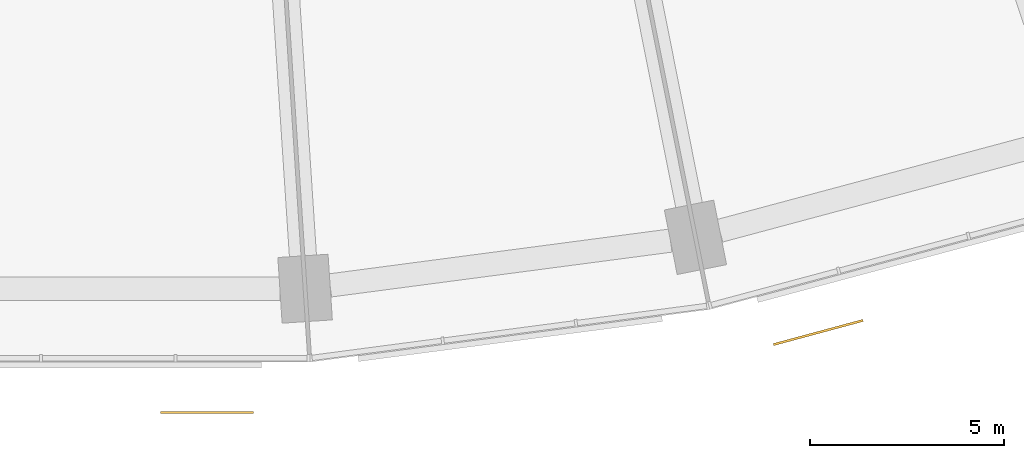
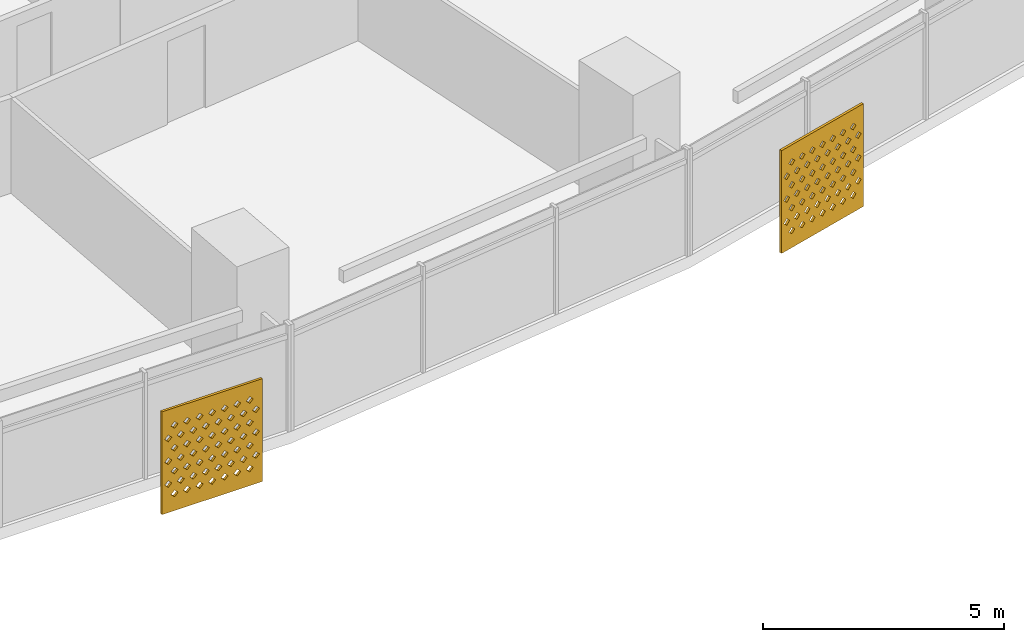
# One storey, part 29 of 31: 2 shading devices.
"""IFC4 building model written with IfcOpenShell, lengths in metres."""

from ifc_helpers import new_model, si_unit, direction, frame, origin, place, context, subcontext, project, spatial, polyline, outline, extrude, material, material_profile, profile_set, type_object, element, save


model = new_model("IFC4")

# Units and contexts
model_context = context("Model", 3, precision=1e-05, world=origin(), true_north=direction((0.0, 1.0)))
body_context = subcontext(model_context, "Body", "Model", "MODEL_VIEW")
ifc_project = project(units=[si_unit("LENGTHUNIT", "METRE"), si_unit("AREAUNIT", "SQUARE_METRE"), si_unit("VOLUMEUNIT", "CUBIC_METRE"), si_unit("PLANEANGLEUNIT", "RADIAN"), si_unit("MASSUNIT", "GRAM", prefix="KILO")], contexts=[model_context])

# Site, building, storey
site_placement = place(None, origin())
site = spatial("IfcSite", under=ifc_project, at=site_placement, CompositionType="ELEMENT")
building_placement = place(site_placement, origin())
building = spatial("IfcBuilding", under=site, at=building_placement, Name="Qamariyya Broadcast Tower", CompositionType="ELEMENT")
storey_placement = place(building_placement, frame((0.0, 0.0, 59.5)))
storey = spatial("IfcBuildingStorey", under=building, at=storey_placement, Name="L11", CompositionType="ELEMENT", Elevation=59.5)

# Shading devices
ifc_material = material(Name="Perforated glazed terracotta", Category="masonry")
ifc_material_profile = material_profile(ifc_material, outline(polyline([(-1.199951171875, -1.300048828125), (1.199951171875, -1.300048828125), (1.199951171875, 1.300048828125), (-1.199951171875, 1.300048828125), (-1.199951171875, -1.300048828125)]), holes=[polyline([(-0.81494140625, -0.86669921875), (-0.89990234375, -0.78173828125), (-0.985107421875, -0.86669921875), (-0.89990234375, -0.95166015625), (-0.81494140625, -0.86669921875)]), polyline([(-0.514892578125, -0.86669921875), (-0.60009765625, -0.78173828125), (-0.68505859375, -0.86669921875), (-0.60009765625, -0.95166015625), (-0.514892578125, -0.86669921875)]), polyline([(-0.215087890625, -0.86669921875), (-0.300048828125, -0.78173828125), (-0.385009765625, -0.86669921875), (-0.300048828125, -0.95166015625), (-0.215087890625, -0.86669921875)]), polyline([(0.0849609375, -0.86669921875), (0.0, -0.78173828125), (-0.0849609375, -0.86669921875), (0.0, -0.95166015625), (0.0849609375, -0.86669921875)]), polyline([(0.385009765625, -0.86669921875), (0.300048828125, -0.78173828125), (0.215087890625, -0.86669921875), (0.300048828125, -0.95166015625), (0.385009765625, -0.86669921875)]), polyline([(0.68505859375, -0.86669921875), (0.60009765625, -0.78173828125), (0.514892578125, -0.86669921875), (0.60009765625, -0.95166015625), (0.68505859375, -0.86669921875)]), polyline([(0.985107421875, -0.86669921875), (0.89990234375, -0.78173828125), (0.81494140625, -0.86669921875), (0.89990234375, -0.95166015625), (0.985107421875, -0.86669921875)]), polyline([(-0.965087890625, -0.577880859375), (-1.050048828125, -0.49267578125), (-1.135009765625, -0.577880859375), (-1.050048828125, -0.662841796875), (-0.965087890625, -0.577880859375)]), polyline([(-0.6650390625, -0.577880859375), (-0.75, -0.49267578125), (-0.8349609375, -0.577880859375), (-0.75, -0.662841796875), (-0.6650390625, -0.577880859375)]), polyline([(-0.364990234375, -0.577880859375), (-0.449951171875, -0.49267578125), (-0.534912109375, -0.577880859375), (-0.449951171875, -0.662841796875), (-0.364990234375, -0.577880859375)]), polyline([(-0.06494140625, -0.577880859375), (-0.14990234375, -0.49267578125), (-0.235107421875, -0.577880859375), (-0.14990234375, -0.662841796875), (-0.06494140625, -0.577880859375)]), polyline([(0.235107421875, -0.577880859375), (0.14990234375, -0.49267578125), (0.06494140625, -0.577880859375), (0.14990234375, -0.662841796875), (0.235107421875, -0.577880859375)]), polyline([(0.534912109375, -0.577880859375), (0.449951171875, -0.49267578125), (0.364990234375, -0.577880859375), (0.449951171875, -0.662841796875), (0.534912109375, -0.577880859375)]), polyline([(0.8349609375, -0.577880859375), (0.75, -0.49267578125), (0.6650390625, -0.577880859375), (0.75, -0.662841796875), (0.8349609375, -0.577880859375)]), polyline([(1.135009765625, -0.577880859375), (1.050048828125, -0.49267578125), (0.965087890625, -0.577880859375), (1.050048828125, -0.662841796875), (1.135009765625, -0.577880859375)]), polyline([(-0.81494140625, -0.288818359375), (-0.89990234375, -0.203857421875), (-0.985107421875, -0.288818359375), (-0.89990234375, -0.373779296875), (-0.81494140625, -0.288818359375)]), polyline([(-0.514892578125, -0.288818359375), (-0.60009765625, -0.203857421875), (-0.68505859375, -0.288818359375), (-0.60009765625, -0.373779296875), (-0.514892578125, -0.288818359375)]), polyline([(-0.215087890625, -0.288818359375), (-0.300048828125, -0.203857421875), (-0.385009765625, -0.288818359375), (-0.300048828125, -0.373779296875), (-0.215087890625, -0.288818359375)]), polyline([(0.0849609375, -0.288818359375), (0.0, -0.203857421875), (-0.0849609375, -0.288818359375), (0.0, -0.373779296875), (0.0849609375, -0.288818359375)]), polyline([(0.385009765625, -0.288818359375), (0.300048828125, -0.203857421875), (0.215087890625, -0.288818359375), (0.300048828125, -0.373779296875), (0.385009765625, -0.288818359375)]), polyline([(0.68505859375, -0.288818359375), (0.60009765625, -0.203857421875), (0.514892578125, -0.288818359375), (0.60009765625, -0.373779296875), (0.68505859375, -0.288818359375)]), polyline([(0.985107421875, -0.288818359375), (0.89990234375, -0.203857421875), (0.81494140625, -0.288818359375), (0.89990234375, -0.373779296875), (0.985107421875, -0.288818359375)]), polyline([(-0.965087890625, 0.0), (-1.050048828125, 0.0849609375), (-1.135009765625, 0.0), (-1.050048828125, -0.0849609375), (-0.965087890625, 0.0)]), polyline([(-0.6650390625, 0.0), (-0.75, 0.0849609375), (-0.8349609375, 0.0), (-0.75, -0.0849609375), (-0.6650390625, 0.0)]), polyline([(-0.364990234375, 0.0), (-0.449951171875, 0.0849609375), (-0.534912109375, 0.0), (-0.449951171875, -0.0849609375), (-0.364990234375, 0.0)]), polyline([(-0.06494140625, 0.0), (-0.14990234375, 0.0849609375), (-0.235107421875, 0.0), (-0.14990234375, -0.0849609375), (-0.06494140625, 0.0)]), polyline([(0.235107421875, 0.0), (0.14990234375, 0.0849609375), (0.06494140625, 0.0), (0.14990234375, -0.0849609375), (0.235107421875, 0.0)]), polyline([(0.534912109375, 0.0), (0.449951171875, 0.0849609375), (0.364990234375, 0.0), (0.449951171875, -0.0849609375), (0.534912109375, 0.0)]), polyline([(0.8349609375, 0.0), (0.75, 0.0849609375), (0.6650390625, 0.0), (0.75, -0.0849609375), (0.8349609375, 0.0)]), polyline([(1.135009765625, 0.0), (1.050048828125, 0.0849609375), (0.965087890625, 0.0), (1.050048828125, -0.0849609375), (1.135009765625, 0.0)]), polyline([(-0.81494140625, 0.288818359375), (-0.89990234375, 0.373779296875), (-0.985107421875, 0.288818359375), (-0.89990234375, 0.203857421875), (-0.81494140625, 0.288818359375)]), polyline([(-0.514892578125, 0.288818359375), (-0.60009765625, 0.373779296875), (-0.68505859375, 0.288818359375), (-0.60009765625, 0.203857421875), (-0.514892578125, 0.288818359375)]), polyline([(-0.215087890625, 0.288818359375), (-0.300048828125, 0.373779296875), (-0.385009765625, 0.288818359375), (-0.300048828125, 0.203857421875), (-0.215087890625, 0.288818359375)]), polyline([(0.0849609375, 0.288818359375), (0.0, 0.373779296875), (-0.0849609375, 0.288818359375), (0.0, 0.203857421875), (0.0849609375, 0.288818359375)]), polyline([(0.385009765625, 0.288818359375), (0.300048828125, 0.373779296875), (0.215087890625, 0.288818359375), (0.300048828125, 0.203857421875), (0.385009765625, 0.288818359375)]), polyline([(0.68505859375, 0.288818359375), (0.60009765625, 0.373779296875), (0.514892578125, 0.288818359375), (0.60009765625, 0.203857421875), (0.68505859375, 0.288818359375)]), polyline([(0.985107421875, 0.288818359375), (0.89990234375, 0.373779296875), (0.81494140625, 0.288818359375), (0.89990234375, 0.203857421875), (0.985107421875, 0.288818359375)]), polyline([(-0.965087890625, 0.577880859375), (-1.050048828125, 0.662841796875), (-1.135009765625, 0.577880859375), (-1.050048828125, 0.49267578125), (-0.965087890625, 0.577880859375)]), polyline([(-0.6650390625, 0.577880859375), (-0.75, 0.662841796875), (-0.8349609375, 0.577880859375), (-0.75, 0.49267578125), (-0.6650390625, 0.577880859375)]), polyline([(-0.364990234375, 0.577880859375), (-0.449951171875, 0.662841796875), (-0.534912109375, 0.577880859375), (-0.449951171875, 0.49267578125), (-0.364990234375, 0.577880859375)]), polyline([(-0.06494140625, 0.577880859375), (-0.14990234375, 0.662841796875), (-0.235107421875, 0.577880859375), (-0.14990234375, 0.49267578125), (-0.06494140625, 0.577880859375)]), polyline([(0.235107421875, 0.577880859375), (0.14990234375, 0.662841796875), (0.06494140625, 0.577880859375), (0.14990234375, 0.49267578125), (0.235107421875, 0.577880859375)]), polyline([(0.534912109375, 0.577880859375), (0.449951171875, 0.662841796875), (0.364990234375, 0.577880859375), (0.449951171875, 0.49267578125), (0.534912109375, 0.577880859375)]), polyline([(0.8349609375, 0.577880859375), (0.75, 0.662841796875), (0.6650390625, 0.577880859375), (0.75, 0.49267578125), (0.8349609375, 0.577880859375)]), polyline([(1.135009765625, 0.577880859375), (1.050048828125, 0.662841796875), (0.965087890625, 0.577880859375), (1.050048828125, 0.49267578125), (1.135009765625, 0.577880859375)]), polyline([(-0.81494140625, 0.86669921875), (-0.89990234375, 0.95166015625), (-0.985107421875, 0.86669921875), (-0.89990234375, 0.78173828125), (-0.81494140625, 0.86669921875)]), polyline([(-0.514892578125, 0.86669921875), (-0.60009765625, 0.95166015625), (-0.68505859375, 0.86669921875), (-0.60009765625, 0.78173828125), (-0.514892578125, 0.86669921875)]), polyline([(-0.215087890625, 0.86669921875), (-0.300048828125, 0.95166015625), (-0.385009765625, 0.86669921875), (-0.300048828125, 0.78173828125), (-0.215087890625, 0.86669921875)]), polyline([(0.0849609375, 0.86669921875), (0.0, 0.95166015625), (-0.0849609375, 0.86669921875), (0.0, 0.78173828125), (0.0849609375, 0.86669921875)]), polyline([(0.385009765625, 0.86669921875), (0.300048828125, 0.95166015625), (0.215087890625, 0.86669921875), (0.300048828125, 0.78173828125), (0.385009765625, 0.86669921875)]), polyline([(0.68505859375, 0.86669921875), (0.60009765625, 0.95166015625), (0.514892578125, 0.86669921875), (0.60009765625, 0.78173828125), (0.68505859375, 0.86669921875)]), polyline([(0.985107421875, 0.86669921875), (0.89990234375, 0.95166015625), (0.81494140625, 0.86669921875), (0.89990234375, 0.78173828125), (0.985107421875, 0.86669921875)])]))
ifc_profile_set = profile_set([ifc_material_profile], Name="Perforated glazed terracotta")
shading_device_type = type_object("IfcShadingDeviceType", Name="Perforated terracotta screen 2400 x 2600", PredefinedType="USERDEFINED", material=ifc_profile_set)
shading_device_1_placement = place(storey_placement, frame((2.55224609375, -80.74951171875, 1.35009765625), z_axis=(0.0, -1.0, 0.0), x_axis=(1.0, 0.0, 0.0)))
element("IfcShadingDevice", 1, at=shading_device_1_placement, inside=storey, type_object=shading_device_type, Name="e-scr-L11-08-2", ObjectType="SCREEN", PredefinedType="USERDEFINED", context=body_context, shape_type="SweptSolid", body=[
    extrude(outline(polyline([(-1.199951171875, -1.300048828125), (1.199951171875, -1.300048828125), (1.199951171875, 1.300048828125), (-1.199951171875, 1.300048828125), (-1.199951171875, -1.300048828125)]), holes=[polyline([(-0.81494140625, -0.86669921875), (-0.89990234375, -0.78173828125), (-0.985107421875, -0.86669921875), (-0.89990234375, -0.95166015625), (-0.81494140625, -0.86669921875)]), polyline([(-0.514892578125, -0.86669921875), (-0.60009765625, -0.78173828125), (-0.68505859375, -0.86669921875), (-0.60009765625, -0.95166015625), (-0.514892578125, -0.86669921875)]), polyline([(-0.215087890625, -0.86669921875), (-0.300048828125, -0.78173828125), (-0.385009765625, -0.86669921875), (-0.300048828125, -0.95166015625), (-0.215087890625, -0.86669921875)]), polyline([(0.0849609375, -0.86669921875), (0.0, -0.78173828125), (-0.0849609375, -0.86669921875), (0.0, -0.95166015625), (0.0849609375, -0.86669921875)]), polyline([(0.385009765625, -0.86669921875), (0.300048828125, -0.78173828125), (0.215087890625, -0.86669921875), (0.300048828125, -0.95166015625), (0.385009765625, -0.86669921875)]), polyline([(0.68505859375, -0.86669921875), (0.60009765625, -0.78173828125), (0.514892578125, -0.86669921875), (0.60009765625, -0.95166015625), (0.68505859375, -0.86669921875)]), polyline([(0.985107421875, -0.86669921875), (0.89990234375, -0.78173828125), (0.81494140625, -0.86669921875), (0.89990234375, -0.95166015625), (0.985107421875, -0.86669921875)]), polyline([(-0.965087890625, -0.577880859375), (-1.050048828125, -0.49267578125), (-1.135009765625, -0.577880859375), (-1.050048828125, -0.662841796875), (-0.965087890625, -0.577880859375)]), polyline([(-0.6650390625, -0.577880859375), (-0.75, -0.49267578125), (-0.8349609375, -0.577880859375), (-0.75, -0.662841796875), (-0.6650390625, -0.577880859375)]), polyline([(-0.364990234375, -0.577880859375), (-0.449951171875, -0.49267578125), (-0.534912109375, -0.577880859375), (-0.449951171875, -0.662841796875), (-0.364990234375, -0.577880859375)]), polyline([(-0.06494140625, -0.577880859375), (-0.14990234375, -0.49267578125), (-0.235107421875, -0.577880859375), (-0.14990234375, -0.662841796875), (-0.06494140625, -0.577880859375)]), polyline([(0.235107421875, -0.577880859375), (0.14990234375, -0.49267578125), (0.06494140625, -0.577880859375), (0.14990234375, -0.662841796875), (0.235107421875, -0.577880859375)]), polyline([(0.534912109375, -0.577880859375), (0.449951171875, -0.49267578125), (0.364990234375, -0.577880859375), (0.449951171875, -0.662841796875), (0.534912109375, -0.577880859375)]), polyline([(0.8349609375, -0.577880859375), (0.75, -0.49267578125), (0.6650390625, -0.577880859375), (0.75, -0.662841796875), (0.8349609375, -0.577880859375)]), polyline([(1.135009765625, -0.577880859375), (1.050048828125, -0.49267578125), (0.965087890625, -0.577880859375), (1.050048828125, -0.662841796875), (1.135009765625, -0.577880859375)]), polyline([(-0.81494140625, -0.288818359375), (-0.89990234375, -0.203857421875), (-0.985107421875, -0.288818359375), (-0.89990234375, -0.373779296875), (-0.81494140625, -0.288818359375)]), polyline([(-0.514892578125, -0.288818359375), (-0.60009765625, -0.203857421875), (-0.68505859375, -0.288818359375), (-0.60009765625, -0.373779296875), (-0.514892578125, -0.288818359375)]), polyline([(-0.215087890625, -0.288818359375), (-0.300048828125, -0.203857421875), (-0.385009765625, -0.288818359375), (-0.300048828125, -0.373779296875), (-0.215087890625, -0.288818359375)]), polyline([(0.0849609375, -0.288818359375), (0.0, -0.203857421875), (-0.0849609375, -0.288818359375), (0.0, -0.373779296875), (0.0849609375, -0.288818359375)]), polyline([(0.385009765625, -0.288818359375), (0.300048828125, -0.203857421875), (0.215087890625, -0.288818359375), (0.300048828125, -0.373779296875), (0.385009765625, -0.288818359375)]), polyline([(0.68505859375, -0.288818359375), (0.60009765625, -0.203857421875), (0.514892578125, -0.288818359375), (0.60009765625, -0.373779296875), (0.68505859375, -0.288818359375)]), polyline([(0.985107421875, -0.288818359375), (0.89990234375, -0.203857421875), (0.81494140625, -0.288818359375), (0.89990234375, -0.373779296875), (0.985107421875, -0.288818359375)]), polyline([(-0.965087890625, 0.0), (-1.050048828125, 0.0849609375), (-1.135009765625, 0.0), (-1.050048828125, -0.0849609375), (-0.965087890625, 0.0)]), polyline([(-0.6650390625, 0.0), (-0.75, 0.0849609375), (-0.8349609375, 0.0), (-0.75, -0.0849609375), (-0.6650390625, 0.0)]), polyline([(-0.364990234375, 0.0), (-0.449951171875, 0.0849609375), (-0.534912109375, 0.0), (-0.449951171875, -0.0849609375), (-0.364990234375, 0.0)]), polyline([(-0.06494140625, 0.0), (-0.14990234375, 0.0849609375), (-0.235107421875, 0.0), (-0.14990234375, -0.0849609375), (-0.06494140625, 0.0)]), polyline([(0.235107421875, 0.0), (0.14990234375, 0.0849609375), (0.06494140625, 0.0), (0.14990234375, -0.0849609375), (0.235107421875, 0.0)]), polyline([(0.534912109375, 0.0), (0.449951171875, 0.0849609375), (0.364990234375, 0.0), (0.449951171875, -0.0849609375), (0.534912109375, 0.0)]), polyline([(0.8349609375, 0.0), (0.75, 0.0849609375), (0.6650390625, 0.0), (0.75, -0.0849609375), (0.8349609375, 0.0)]), polyline([(1.135009765625, 0.0), (1.050048828125, 0.0849609375), (0.965087890625, 0.0), (1.050048828125, -0.0849609375), (1.135009765625, 0.0)]), polyline([(-0.81494140625, 0.288818359375), (-0.89990234375, 0.373779296875), (-0.985107421875, 0.288818359375), (-0.89990234375, 0.203857421875), (-0.81494140625, 0.288818359375)]), polyline([(-0.514892578125, 0.288818359375), (-0.60009765625, 0.373779296875), (-0.68505859375, 0.288818359375), (-0.60009765625, 0.203857421875), (-0.514892578125, 0.288818359375)]), polyline([(-0.215087890625, 0.288818359375), (-0.300048828125, 0.373779296875), (-0.385009765625, 0.288818359375), (-0.300048828125, 0.203857421875), (-0.215087890625, 0.288818359375)]), polyline([(0.0849609375, 0.288818359375), (0.0, 0.373779296875), (-0.0849609375, 0.288818359375), (0.0, 0.203857421875), (0.0849609375, 0.288818359375)]), polyline([(0.385009765625, 0.288818359375), (0.300048828125, 0.373779296875), (0.215087890625, 0.288818359375), (0.300048828125, 0.203857421875), (0.385009765625, 0.288818359375)]), polyline([(0.68505859375, 0.288818359375), (0.60009765625, 0.373779296875), (0.514892578125, 0.288818359375), (0.60009765625, 0.203857421875), (0.68505859375, 0.288818359375)]), polyline([(0.985107421875, 0.288818359375), (0.89990234375, 0.373779296875), (0.81494140625, 0.288818359375), (0.89990234375, 0.203857421875), (0.985107421875, 0.288818359375)]), polyline([(-0.965087890625, 0.577880859375), (-1.050048828125, 0.662841796875), (-1.135009765625, 0.577880859375), (-1.050048828125, 0.49267578125), (-0.965087890625, 0.577880859375)]), polyline([(-0.6650390625, 0.577880859375), (-0.75, 0.662841796875), (-0.8349609375, 0.577880859375), (-0.75, 0.49267578125), (-0.6650390625, 0.577880859375)]), polyline([(-0.364990234375, 0.577880859375), (-0.449951171875, 0.662841796875), (-0.534912109375, 0.577880859375), (-0.449951171875, 0.49267578125), (-0.364990234375, 0.577880859375)]), polyline([(-0.06494140625, 0.577880859375), (-0.14990234375, 0.662841796875), (-0.235107421875, 0.577880859375), (-0.14990234375, 0.49267578125), (-0.06494140625, 0.577880859375)]), polyline([(0.235107421875, 0.577880859375), (0.14990234375, 0.662841796875), (0.06494140625, 0.577880859375), (0.14990234375, 0.49267578125), (0.235107421875, 0.577880859375)]), polyline([(0.534912109375, 0.577880859375), (0.449951171875, 0.662841796875), (0.364990234375, 0.577880859375), (0.449951171875, 0.49267578125), (0.534912109375, 0.577880859375)]), polyline([(0.8349609375, 0.577880859375), (0.75, 0.662841796875), (0.6650390625, 0.577880859375), (0.75, 0.49267578125), (0.8349609375, 0.577880859375)]), polyline([(1.135009765625, 0.577880859375), (1.050048828125, 0.662841796875), (0.965087890625, 0.577880859375), (1.050048828125, 0.49267578125), (1.135009765625, 0.577880859375)]), polyline([(-0.81494140625, 0.86669921875), (-0.89990234375, 0.95166015625), (-0.985107421875, 0.86669921875), (-0.89990234375, 0.78173828125), (-0.81494140625, 0.86669921875)]), polyline([(-0.514892578125, 0.86669921875), (-0.60009765625, 0.95166015625), (-0.68505859375, 0.86669921875), (-0.60009765625, 0.78173828125), (-0.514892578125, 0.86669921875)]), polyline([(-0.215087890625, 0.86669921875), (-0.300048828125, 0.95166015625), (-0.385009765625, 0.86669921875), (-0.300048828125, 0.78173828125), (-0.215087890625, 0.86669921875)]), polyline([(0.0849609375, 0.86669921875), (0.0, 0.95166015625), (-0.0849609375, 0.86669921875), (0.0, 0.78173828125), (0.0849609375, 0.86669921875)]), polyline([(0.385009765625, 0.86669921875), (0.300048828125, 0.95166015625), (0.215087890625, 0.86669921875), (0.300048828125, 0.78173828125), (0.385009765625, 0.86669921875)]), polyline([(0.68505859375, 0.86669921875), (0.60009765625, 0.95166015625), (0.514892578125, 0.86669921875), (0.60009765625, 0.78173828125), (0.68505859375, 0.86669921875)]), polyline([(0.985107421875, 0.86669921875), (0.89990234375, 0.95166015625), (0.81494140625, 0.86669921875), (0.89990234375, 0.78173828125), (0.985107421875, 0.86669921875)])]), origin(), (0.0, 0.0, 1.0), 0.06005859375),
])
shading_device_2_placement = place(storey_placement, frame((18.3330078125, -78.685791015625, 1.35009765625), z_axis=(0.260703819255, -0.965418830677, 0.0), x_axis=(0.965418830677, 0.260703819255, 0.0)))
element("IfcShadingDevice", 2, at=shading_device_2_placement, inside=storey, type_object=shading_device_type, Name="e-scr-L11-10-0", ObjectType="SCREEN", PredefinedType="USERDEFINED", context=body_context, shape_type="SweptSolid", body=[
    extrude(outline(polyline([(-1.199951171875, -1.300048828125), (1.199951171875, -1.300048828125), (1.199951171875, 1.300048828125), (-1.199951171875, 1.300048828125), (-1.199951171875, -1.300048828125)]), holes=[polyline([(-0.81494140625, -0.86669921875), (-0.89990234375, -0.78173828125), (-0.985107421875, -0.86669921875), (-0.89990234375, -0.95166015625), (-0.81494140625, -0.86669921875)]), polyline([(-0.514892578125, -0.86669921875), (-0.60009765625, -0.78173828125), (-0.68505859375, -0.86669921875), (-0.60009765625, -0.95166015625), (-0.514892578125, -0.86669921875)]), polyline([(-0.215087890625, -0.86669921875), (-0.300048828125, -0.78173828125), (-0.385009765625, -0.86669921875), (-0.300048828125, -0.95166015625), (-0.215087890625, -0.86669921875)]), polyline([(0.0849609375, -0.86669921875), (0.0, -0.78173828125), (-0.0849609375, -0.86669921875), (0.0, -0.95166015625), (0.0849609375, -0.86669921875)]), polyline([(0.385009765625, -0.86669921875), (0.300048828125, -0.78173828125), (0.215087890625, -0.86669921875), (0.300048828125, -0.95166015625), (0.385009765625, -0.86669921875)]), polyline([(0.68505859375, -0.86669921875), (0.60009765625, -0.78173828125), (0.514892578125, -0.86669921875), (0.60009765625, -0.95166015625), (0.68505859375, -0.86669921875)]), polyline([(0.985107421875, -0.86669921875), (0.89990234375, -0.78173828125), (0.81494140625, -0.86669921875), (0.89990234375, -0.95166015625), (0.985107421875, -0.86669921875)]), polyline([(-0.965087890625, -0.577880859375), (-1.050048828125, -0.49267578125), (-1.135009765625, -0.577880859375), (-1.050048828125, -0.662841796875), (-0.965087890625, -0.577880859375)]), polyline([(-0.6650390625, -0.577880859375), (-0.75, -0.49267578125), (-0.8349609375, -0.577880859375), (-0.75, -0.662841796875), (-0.6650390625, -0.577880859375)]), polyline([(-0.364990234375, -0.577880859375), (-0.449951171875, -0.49267578125), (-0.534912109375, -0.577880859375), (-0.449951171875, -0.662841796875), (-0.364990234375, -0.577880859375)]), polyline([(-0.06494140625, -0.577880859375), (-0.14990234375, -0.49267578125), (-0.235107421875, -0.577880859375), (-0.14990234375, -0.662841796875), (-0.06494140625, -0.577880859375)]), polyline([(0.235107421875, -0.577880859375), (0.14990234375, -0.49267578125), (0.06494140625, -0.577880859375), (0.14990234375, -0.662841796875), (0.235107421875, -0.577880859375)]), polyline([(0.534912109375, -0.577880859375), (0.449951171875, -0.49267578125), (0.364990234375, -0.577880859375), (0.449951171875, -0.662841796875), (0.534912109375, -0.577880859375)]), polyline([(0.8349609375, -0.577880859375), (0.75, -0.49267578125), (0.6650390625, -0.577880859375), (0.75, -0.662841796875), (0.8349609375, -0.577880859375)]), polyline([(1.135009765625, -0.577880859375), (1.050048828125, -0.49267578125), (0.965087890625, -0.577880859375), (1.050048828125, -0.662841796875), (1.135009765625, -0.577880859375)]), polyline([(-0.81494140625, -0.288818359375), (-0.89990234375, -0.203857421875), (-0.985107421875, -0.288818359375), (-0.89990234375, -0.373779296875), (-0.81494140625, -0.288818359375)]), polyline([(-0.514892578125, -0.288818359375), (-0.60009765625, -0.203857421875), (-0.68505859375, -0.288818359375), (-0.60009765625, -0.373779296875), (-0.514892578125, -0.288818359375)]), polyline([(-0.215087890625, -0.288818359375), (-0.300048828125, -0.203857421875), (-0.385009765625, -0.288818359375), (-0.300048828125, -0.373779296875), (-0.215087890625, -0.288818359375)]), polyline([(0.0849609375, -0.288818359375), (0.0, -0.203857421875), (-0.0849609375, -0.288818359375), (0.0, -0.373779296875), (0.0849609375, -0.288818359375)]), polyline([(0.385009765625, -0.288818359375), (0.300048828125, -0.203857421875), (0.215087890625, -0.288818359375), (0.300048828125, -0.373779296875), (0.385009765625, -0.288818359375)]), polyline([(0.68505859375, -0.288818359375), (0.60009765625, -0.203857421875), (0.514892578125, -0.288818359375), (0.60009765625, -0.373779296875), (0.68505859375, -0.288818359375)]), polyline([(0.985107421875, -0.288818359375), (0.89990234375, -0.203857421875), (0.81494140625, -0.288818359375), (0.89990234375, -0.373779296875), (0.985107421875, -0.288818359375)]), polyline([(-0.965087890625, 0.0), (-1.050048828125, 0.0849609375), (-1.135009765625, 0.0), (-1.050048828125, -0.0849609375), (-0.965087890625, 0.0)]), polyline([(-0.6650390625, 0.0), (-0.75, 0.0849609375), (-0.8349609375, 0.0), (-0.75, -0.0849609375), (-0.6650390625, 0.0)]), polyline([(-0.364990234375, 0.0), (-0.449951171875, 0.0849609375), (-0.534912109375, 0.0), (-0.449951171875, -0.0849609375), (-0.364990234375, 0.0)]), polyline([(-0.06494140625, 0.0), (-0.14990234375, 0.0849609375), (-0.235107421875, 0.0), (-0.14990234375, -0.0849609375), (-0.06494140625, 0.0)]), polyline([(0.235107421875, 0.0), (0.14990234375, 0.0849609375), (0.06494140625, 0.0), (0.14990234375, -0.0849609375), (0.235107421875, 0.0)]), polyline([(0.534912109375, 0.0), (0.449951171875, 0.0849609375), (0.364990234375, 0.0), (0.449951171875, -0.0849609375), (0.534912109375, 0.0)]), polyline([(0.8349609375, 0.0), (0.75, 0.0849609375), (0.6650390625, 0.0), (0.75, -0.0849609375), (0.8349609375, 0.0)]), polyline([(1.135009765625, 0.0), (1.050048828125, 0.0849609375), (0.965087890625, 0.0), (1.050048828125, -0.0849609375), (1.135009765625, 0.0)]), polyline([(-0.81494140625, 0.288818359375), (-0.89990234375, 0.373779296875), (-0.985107421875, 0.288818359375), (-0.89990234375, 0.203857421875), (-0.81494140625, 0.288818359375)]), polyline([(-0.514892578125, 0.288818359375), (-0.60009765625, 0.373779296875), (-0.68505859375, 0.288818359375), (-0.60009765625, 0.203857421875), (-0.514892578125, 0.288818359375)]), polyline([(-0.215087890625, 0.288818359375), (-0.300048828125, 0.373779296875), (-0.385009765625, 0.288818359375), (-0.300048828125, 0.203857421875), (-0.215087890625, 0.288818359375)]), polyline([(0.0849609375, 0.288818359375), (0.0, 0.373779296875), (-0.0849609375, 0.288818359375), (0.0, 0.203857421875), (0.0849609375, 0.288818359375)]), polyline([(0.385009765625, 0.288818359375), (0.300048828125, 0.373779296875), (0.215087890625, 0.288818359375), (0.300048828125, 0.203857421875), (0.385009765625, 0.288818359375)]), polyline([(0.68505859375, 0.288818359375), (0.60009765625, 0.373779296875), (0.514892578125, 0.288818359375), (0.60009765625, 0.203857421875), (0.68505859375, 0.288818359375)]), polyline([(0.985107421875, 0.288818359375), (0.89990234375, 0.373779296875), (0.81494140625, 0.288818359375), (0.89990234375, 0.203857421875), (0.985107421875, 0.288818359375)]), polyline([(-0.965087890625, 0.577880859375), (-1.050048828125, 0.662841796875), (-1.135009765625, 0.577880859375), (-1.050048828125, 0.49267578125), (-0.965087890625, 0.577880859375)]), polyline([(-0.6650390625, 0.577880859375), (-0.75, 0.662841796875), (-0.8349609375, 0.577880859375), (-0.75, 0.49267578125), (-0.6650390625, 0.577880859375)]), polyline([(-0.364990234375, 0.577880859375), (-0.449951171875, 0.662841796875), (-0.534912109375, 0.577880859375), (-0.449951171875, 0.49267578125), (-0.364990234375, 0.577880859375)]), polyline([(-0.06494140625, 0.577880859375), (-0.14990234375, 0.662841796875), (-0.235107421875, 0.577880859375), (-0.14990234375, 0.49267578125), (-0.06494140625, 0.577880859375)]), polyline([(0.235107421875, 0.577880859375), (0.14990234375, 0.662841796875), (0.06494140625, 0.577880859375), (0.14990234375, 0.49267578125), (0.235107421875, 0.577880859375)]), polyline([(0.534912109375, 0.577880859375), (0.449951171875, 0.662841796875), (0.364990234375, 0.577880859375), (0.449951171875, 0.49267578125), (0.534912109375, 0.577880859375)]), polyline([(0.8349609375, 0.577880859375), (0.75, 0.662841796875), (0.6650390625, 0.577880859375), (0.75, 0.49267578125), (0.8349609375, 0.577880859375)]), polyline([(1.135009765625, 0.577880859375), (1.050048828125, 0.662841796875), (0.965087890625, 0.577880859375), (1.050048828125, 0.49267578125), (1.135009765625, 0.577880859375)]), polyline([(-0.81494140625, 0.86669921875), (-0.89990234375, 0.95166015625), (-0.985107421875, 0.86669921875), (-0.89990234375, 0.78173828125), (-0.81494140625, 0.86669921875)]), polyline([(-0.514892578125, 0.86669921875), (-0.60009765625, 0.95166015625), (-0.68505859375, 0.86669921875), (-0.60009765625, 0.78173828125), (-0.514892578125, 0.86669921875)]), polyline([(-0.215087890625, 0.86669921875), (-0.300048828125, 0.95166015625), (-0.385009765625, 0.86669921875), (-0.300048828125, 0.78173828125), (-0.215087890625, 0.86669921875)]), polyline([(0.0849609375, 0.86669921875), (0.0, 0.95166015625), (-0.0849609375, 0.86669921875), (0.0, 0.78173828125), (0.0849609375, 0.86669921875)]), polyline([(0.385009765625, 0.86669921875), (0.300048828125, 0.95166015625), (0.215087890625, 0.86669921875), (0.300048828125, 0.78173828125), (0.385009765625, 0.86669921875)]), polyline([(0.68505859375, 0.86669921875), (0.60009765625, 0.95166015625), (0.514892578125, 0.86669921875), (0.60009765625, 0.78173828125), (0.68505859375, 0.86669921875)]), polyline([(0.985107421875, 0.86669921875), (0.89990234375, 0.95166015625), (0.81494140625, 0.86669921875), (0.89990234375, 0.78173828125), (0.985107421875, 0.86669921875)])]), origin(), (0.0, 0.0, 1.0), 0.059814453125),
])

save(model, "model.ifc")
